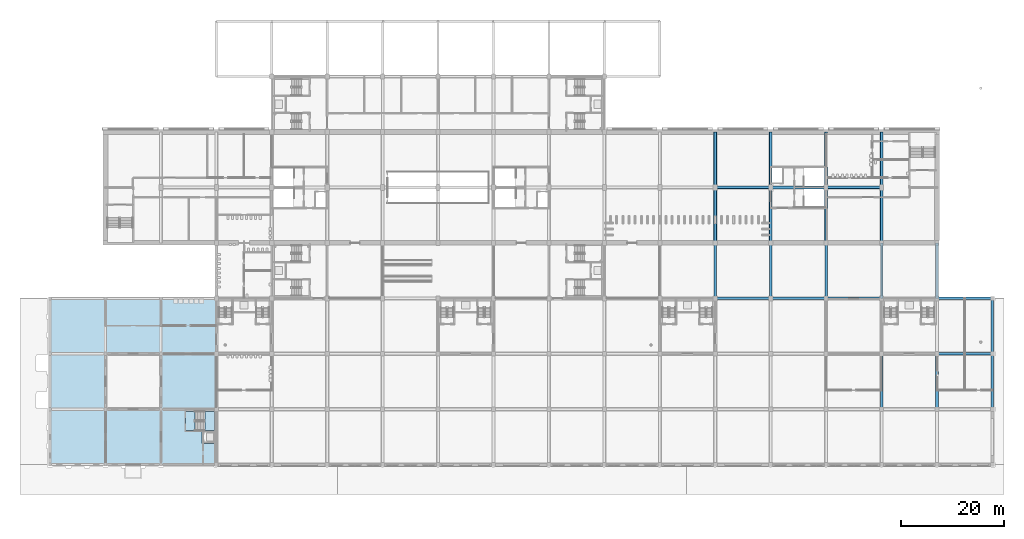
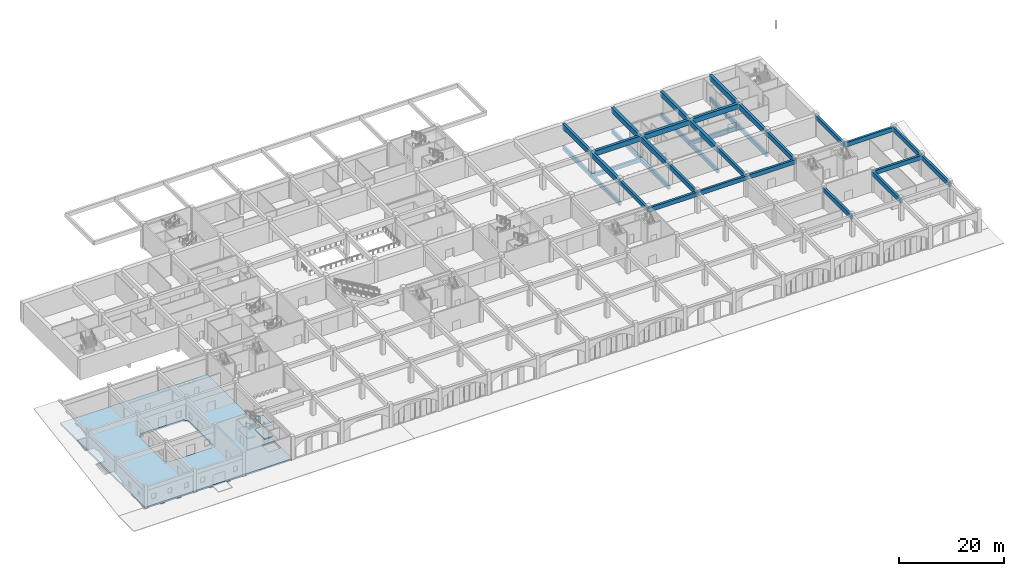
# One storey, part 20 of 101: 35 beams, 4 slabs, 1 element without a shape of its own.
"""IFC4 building model written with IfcOpenShell, lengths in metres."""

from ifc_helpers import new_model, si_unit, direction, frame, origin, origin_2d, place, context, subcontext, project, spatial, polyline, rectangle, outline, extrude, material, layer, layer_set, material_profile, profile_set, type_object, element, aggregate, save


model = new_model("IFC4")

# Units and contexts
model_context = context("Model", 3, precision=1e-05, world=origin(), true_north=direction((0.0, 1.0)))
body_context = subcontext(model_context, "Body", "Model", "MODEL_VIEW")
ifc_project = project(units=[si_unit("LENGTHUNIT", "METRE"), si_unit("AREAUNIT", "SQUARE_METRE"), si_unit("VOLUMEUNIT", "CUBIC_METRE"), si_unit("PLANEANGLEUNIT", "RADIAN"), si_unit("MASSUNIT", "GRAM", prefix="KILO")], contexts=[model_context])

# Site, building, storey
site_placement = place(None, origin())
site = spatial("IfcSite", under=ifc_project, at=site_placement, CompositionType="ELEMENT")
building_placement = place(site_placement, origin())
building = spatial("IfcBuilding", under=site, at=building_placement, Name="Magnolia Steps Interchange", CompositionType="ELEMENT")
storey_placement = place(building_placement, frame((0.0, 0.0, -5.39990234375)))
storey = spatial("IfcBuildingStorey", under=building, at=storey_placement, Name="B1", CompositionType="ELEMENT", Elevation=-5.39990234375)

# Beams
ifc_material_1 = material(Name="Concrete C40", Category="concrete")
ifc_material_profile_1 = material_profile(ifc_material_1, rectangle(XDim=0.5, YDim=1.0, at=origin_2d()), Name="RC500x1000")
ifc_profile_set_1 = profile_set([ifc_material_profile_1], Name="Concrete C40")
beam_type_1 = type_object("IfcBeamType", Name="RC beam 500x1000", PredefinedType="BEAM", material=ifc_profile_set_1)
beam_1_placement = place(storey_placement, frame((182.800048828125, 31.60009765625, 4.2998046875), z_axis=(1.0, 0.0, 0.0), x_axis=(0.0, 1.0, 0.0)))
element("IfcBeam", 1, at=beam_1_placement, inside=storey, type_object=beam_type_1, Name="Beam L00 C 17-18", PredefinedType="BEAM", context=body_context, shape_type="SweptSolid", body=[
    extrude(rectangle(XDim=0.5, YDim=1.0, at=origin_2d()), origin(), (0.0, 0.0, 1.0), 10.800048828125),
])
beam_2_placement = place(storey_placement, frame((139.60009765625, 42.39990234375, 4.2998046875), z_axis=(1.0, 0.0, 0.0), x_axis=(0.0, 1.0, 0.0)))
element("IfcBeam", 2, at=beam_2_placement, inside=storey, type_object=beam_type_1, Name="Beam L00 D 13-14", PredefinedType="BEAM", context=body_context, shape_type="SweptSolid", body=[
    extrude(rectangle(XDim=0.5, YDim=1.0, at=origin_2d()), origin(), (0.0, 0.0, 1.0), 10.7998046875),
])
for number, where, z_axis, x_axis, name in (
    (3, (150.39990234375, 42.39990234375, 4.2998046875), (1.0, 0.0, 0.0), (0.0, 1.0, 0.0), "Beam L00 D 14-15"),
    (4, (161.199951171875, 42.39990234375, 4.2998046875), (1.0, 0.0, 0.0), (0.0, 1.0, 0.0), "Beam L00 D 15-16"),
    (5, (182.800048828125, 42.39990234375, 4.2998046875), (1.0, 0.0, 0.0), (0.0, 1.0, 0.0), "Beam L00 D 17-18"),
    (6, (139.60009765625, 42.39990234375, 4.2998046875), (0.0, 1.0, 0.0), (-1.0, 0.0, 0.0), "Beam L00 13 D-E"),
    (7, (150.39990234375, 42.39990234375, 4.2998046875), (0.0, 1.0, 0.0), (-1.0, 0.0, 0.0), "Beam L00 14 D-E"),
    (8, (161.199951171875, 42.39990234375, 4.2998046875), (0.0, 1.0, 0.0), (-1.0, 0.0, 0.0), "Beam L00 15 D-E"),
    (9, (172.0, 20.800048828125, 4.2998046875), (0.0, 1.0, 0.0), (-1.0, 0.0, 0.0), "Beam L00 16 B-C"),
    (10, (172.0, 42.39990234375, 4.2998046875), (0.0, 1.0, 0.0), (-1.0, 0.0, 0.0), "Beam L00 16 D-E"),
    (11, (182.800048828125, 20.800048828125, 4.2998046875), (0.0, 1.0, 0.0), (-1.0, 0.0, 0.0), "Beam L00 17 B-C"),
    (12, (182.800048828125, 42.39990234375, 4.2998046875), (0.0, 1.0, 0.0), (-1.0, 0.0, 0.0), "Beam L00 17 D-E"),
    (13, (193.60009765625, 20.800048828125, 4.2998046875), (0.0, 1.0, 0.0), (-1.0, 0.0, 0.0), "Beam L00 18 B-C"),
):
    element("IfcBeam", number, at=place(storey_placement, frame(where, z_axis=z_axis, x_axis=x_axis)), inside=storey, type_object=beam_type_1, Name=name, PredefinedType="BEAM", context=body_context, shape_type="SweptSolid", body=[
        extrude(rectangle(XDim=0.5, YDim=1.0, at=origin_2d()), origin(), (0.0, 0.0, 1.0), 10.800048828125),
    ])
beam_3_placement = place(storey_placement, frame((193.60009765625, 31.60009765625, 4.2998046875), z_axis=(0.0, 1.0, 0.0), x_axis=(-1.0, 0.0, 0.0)))
element("IfcBeam", 14, at=beam_3_placement, inside=storey, type_object=beam_type_1, Name="Beam L00 18 C-D", PredefinedType="BEAM", context=body_context, shape_type="SweptSolid", body=[
    extrude(rectangle(XDim=0.5, YDim=1.0, at=origin_2d()), origin(), (0.0, 0.0, 1.0), 10.7998046875),
])
ifc_material_2 = material(Name="Concrete C40", Category="concrete")
ifc_material_profile_2 = material_profile(ifc_material_2, rectangle(XDim=0.5, YDim=0.89990234375, at=origin_2d()), Name="RC500x900")
ifc_profile_set_2 = profile_set([ifc_material_profile_2], Name="Concrete C40")
beam_type_2 = type_object("IfcBeamType", Name="RC beam 500x900", PredefinedType="BEAM", material=ifc_profile_set_2)
beam_4_placement = place(storey_placement, frame((139.60009765625, 64.0, -0.85009765625), z_axis=(1.0, 0.0, 0.0), x_axis=(0.0, 1.0, 0.0)))
element("IfcBeam", 15, at=beam_4_placement, inside=storey, type_object=beam_type_2, Name="Beam B1 F 13-14", PredefinedType="BEAM", context=body_context, shape_type="SweptSolid", body=[
    extrude(rectangle(XDim=0.5, YDim=0.89990234375, at=origin_2d()), origin(), (0.0, 0.0, 1.0), 10.7998046875),
])
for number, where, z_axis, x_axis, name in (
    (16, (161.199951171875, 64.0, -0.85009765625), (1.0, 0.0, 0.0), (0.0, 1.0, 0.0), "Beam B1 F 15-16"),
    (17, (139.60009765625, 53.199951171875, -0.85009765625), (0.0, 1.0, 0.0), (-1.0, 0.0, 0.0), "Beam B1 13 E-F"),
    (18, (139.60009765625, 64.0, -0.85009765625), (0.0, 1.0, 0.0), (-1.0, 0.0, 0.0), "Beam B1 13 F-G"),
    (19, (150.39990234375, 53.199951171875, -0.85009765625), (0.0, 1.0, 0.0), (-1.0, 0.0, 0.0), "Beam B1 14 E-F"),
    (20, (150.39990234375, 64.0, -0.85009765625), (0.0, 1.0, 0.0), (-1.0, 0.0, 0.0), "Beam B1 14 F-G"),
    (21, (161.199951171875, 53.199951171875, -0.85009765625), (0.0, 1.0, 0.0), (-1.0, 0.0, 0.0), "Beam B1 15 E-F"),
    (22, (161.199951171875, 64.0, -0.85009765625), (0.0, 1.0, 0.0), (-1.0, 0.0, 0.0), "Beam B1 15 F-G"),
    (23, (172.0, 53.199951171875, -0.85009765625), (0.0, 1.0, 0.0), (-1.0, 0.0, 0.0), "Beam B1 16 E-F"),
    (24, (172.0, 64.0, -0.85009765625), (0.0, 1.0, 0.0), (-1.0, 0.0, 0.0), "Beam B1 16 F-G"),
):
    element("IfcBeam", number, at=place(storey_placement, frame(where, z_axis=z_axis, x_axis=x_axis)), inside=storey, type_object=beam_type_2, Name=name, PredefinedType="BEAM", context=body_context, shape_type="SweptSolid", body=[
        extrude(rectangle(XDim=0.5, YDim=0.89990234375, at=origin_2d()), origin(), (0.0, 0.0, 1.0), 10.800048828125),
    ])
ifc_material_3 = material(Name="Concrete C40", Category="concrete")
ifc_material_profile_3 = material_profile(ifc_material_3, rectangle(XDim=0.60009765625, YDim=1.199951171875, at=origin_2d()), Name="RC600x1200")
ifc_profile_set_3 = profile_set([ifc_material_profile_3], Name="Concrete C40")
beam_type_3 = type_object("IfcBeamType", Name="RC beam 600x1200", PredefinedType="BEAM", material=ifc_profile_set_3)
beam_5_placement = place(storey_placement, frame((139.60009765625, 64.0, 4.199951171875), z_axis=(1.0, 0.0, 0.0), x_axis=(0.0, 1.0, 0.0)))
element("IfcBeam", 25, at=beam_5_placement, inside=storey, type_object=beam_type_3, Name="Beam L00 F 13-14", PredefinedType="BEAM", context=body_context, shape_type="SweptSolid", body=[
    extrude(rectangle(XDim=0.60009765625, YDim=1.199951171875, at=origin_2d()), origin(), (0.0, 0.0, 1.0), 10.7998046875),
])
for number, where, z_axis, x_axis, name in (
    (26, (150.39990234375, 64.0, 4.199951171875), (1.0, 0.0, 0.0), (0.0, 1.0, 0.0), "Beam L00 F 14-15"),
    (27, (161.199951171875, 64.0, 4.199951171875), (1.0, 0.0, 0.0), (0.0, 1.0, 0.0), "Beam L00 F 15-16"),
    (28, (139.60009765625, 53.199951171875, 4.199951171875), (0.0, 1.0, 0.0), (-1.0, 0.0, 0.0), "Beam L00 13 E-F"),
    (29, (139.60009765625, 64.0, 4.199951171875), (0.0, 1.0, 0.0), (-1.0, 0.0, 0.0), "Beam L00 13 F-G"),
    (30, (150.39990234375, 53.199951171875, 4.199951171875), (0.0, 1.0, 0.0), (-1.0, 0.0, 0.0), "Beam L00 14 E-F"),
    (31, (150.39990234375, 64.0, 4.199951171875), (0.0, 1.0, 0.0), (-1.0, 0.0, 0.0), "Beam L00 14 F-G"),
    (32, (161.199951171875, 53.199951171875, 4.199951171875), (0.0, 1.0, 0.0), (-1.0, 0.0, 0.0), "Beam L00 15 E-F"),
    (33, (161.199951171875, 64.0, 4.199951171875), (0.0, 1.0, 0.0), (-1.0, 0.0, 0.0), "Beam L00 15 F-G"),
    (34, (172.0, 53.199951171875, 4.199951171875), (0.0, 1.0, 0.0), (-1.0, 0.0, 0.0), "Beam L00 16 E-F"),
    (35, (172.0, 64.0, 4.199951171875), (0.0, 1.0, 0.0), (-1.0, 0.0, 0.0), "Beam L00 16 F-G"),
):
    element("IfcBeam", number, at=place(storey_placement, frame(where, z_axis=z_axis, x_axis=x_axis)), inside=storey, type_object=beam_type_3, Name=name, PredefinedType="BEAM", context=body_context, shape_type="SweptSolid", body=[
        extrude(rectangle(XDim=0.60009765625, YDim=1.199951171875, at=origin_2d()), origin(), (0.0, 0.0, 1.0), 10.800048828125),
    ])

# Stair, slabs
ifc_material_4 = material(Name="Concrete C40", Category="concrete")
stair_type = type_object("IfcStairType", Name="Exit stair 1800", PredefinedType="HALF_TURN_STAIR", material=ifc_material_4)
stair_placement = place(storey_placement, origin())
stair = element("IfcStair", 36, at=stair_placement, inside=storey, type_object=stair_type, Name="B1 Stair 25", PredefinedType="HALF_TURN_STAIR")
ifc_material_5 = material(Name="Concrete C40", Category="concrete")
ifc_layer_1 = layer(ifc_material_5, 0.199951171875)
ifc_layer_set_1 = layer_set([ifc_layer_1], Name="Exit stair landing 200")
slab_type_1 = type_object("IfcSlabType", Name="Exit stair landing 200", PredefinedType="LANDING", material=ifc_layer_set_1)
slab_1_placement = place(storey_placement, frame((0.0, 0.0, 1.14990234375)))
slab_1 = element("IfcSlab", 37, at=slab_1_placement, type_object=slab_type_1, Name="Stair 25 landing 1", PredefinedType="LANDING", context=body_context, shape_type="SweptSolid", body=[
    extrude(outline(polyline([(40.159912109375, 16.64990234375), (42.0, 16.64990234375), (42.0, 20.39990234375), (40.159912109375, 20.39990234375), (40.159912109375, 16.64990234375)])), origin(), (0.0, 0.0, 1.0), 0.199951171875),
])
slab_2_placement = place(storey_placement, frame((0.0, 0.0, 2.5)))
slab_2 = element("IfcSlab", 38, at=slab_2_placement, type_object=slab_type_1, Name="Stair 25 landing 2", PredefinedType="LANDING", context=body_context, shape_type="SweptSolid", body=[
    extrude(outline(polyline([(36.39990234375, 16.64990234375), (38.199951171875, 16.64990234375), (38.199951171875, 20.39990234375), (36.39990234375, 20.39990234375), (36.39990234375, 16.64990234375)])), origin(), (0.0, 0.0, 1.0), 0.199951171875),
])
slab_3_placement = place(storey_placement, frame((0.0, 0.0, 3.849853515625)))
slab_3 = element("IfcSlab", 39, at=slab_3_placement, type_object=slab_type_1, Name="Stair 25 landing 3", PredefinedType="LANDING", context=body_context, shape_type="SweptSolid", body=[
    extrude(outline(polyline([(40.159912109375, 16.64990234375), (42.0, 16.64990234375), (42.0, 20.39990234375), (40.159912109375, 20.39990234375), (40.159912109375, 16.64990234375)])), origin(), (0.0, 0.0, 1.0), 0.199951171875),
])
aggregate(stair, [slab_1, slab_2, slab_3])

# Slab
ifc_material_6 = material(Name="Concrete C40", Category="concrete")
ifc_layer_2 = layer(ifc_material_6, 0.39990234375)
ifc_layer_set_2 = layer_set([ifc_layer_2], Name="Floor slab 400")
slab_type_2 = type_object("IfcSlabType", Name="Floor slab 400", PredefinedType="FLOOR", material=ifc_layer_set_2)
slab_4_placement = place(storey_placement, frame((0.0, 0.0, -0.400146484375)))
element("IfcSlab", 40, at=slab_4_placement, inside=storey, type_object=slab_type_2, Name="SL/B1/CYC5", PredefinedType="FLOOR", context=body_context, shape_type="SweptSolid", body=[
    extrude(outline(polyline([(10.0, 10.0), (42.39990234375, 10.0), (42.39990234375, 42.39990234375), (10.0, 42.39990234375), (10.0, 10.0)]), holes=[polyline([(42.25, 16.699951171875), (39.64990234375, 16.699951171875), (39.64990234375, 14.10009765625), (42.25, 14.10009765625), (42.25, 16.699951171875)]), polyline([(21.449951171875, 31.60009765625), (21.447021484375, 31.536376953125), (21.4375, 31.47314453125), (21.422119140625, 31.411376953125), (21.400390625, 31.351318359375), (21.373291015625, 31.293701171875), (21.340576171875, 31.239013671875), (21.302490234375, 31.1875), (21.259521484375, 31.140380859375), (21.21240234375, 31.097412109375), (21.1611328125, 31.0595703125), (21.1064453125, 31.02685546875), (21.048583984375, 30.99951171875), (20.98876953125, 30.97802734375), (20.9267578125, 30.96240234375), (20.86376953125, 30.953125), (20.800048828125, 30.949951171875), (20.800048828125, 21.449951171875), (20.86376953125, 21.447021484375), (20.9267578125, 21.4375), (20.98876953125, 21.422119140625), (21.048583984375, 21.400390625), (21.1064453125, 21.373291015625), (21.1611328125, 21.340576171875), (21.21240234375, 21.302490234375), (21.259521484375, 21.259521484375), (21.302490234375, 21.21240234375), (21.340576171875, 21.1611328125), (21.373291015625, 21.1064453125), (21.400390625, 21.048583984375), (21.422119140625, 20.98876953125), (21.4375, 20.9267578125), (21.447021484375, 20.86376953125), (21.449951171875, 20.800048828125), (30.949951171875, 20.800048828125), (30.953125, 20.86376953125), (30.96240234375, 20.9267578125), (30.97802734375, 20.98876953125), (30.99951171875, 21.048583984375), (31.02685546875, 21.1064453125), (31.0595703125, 21.1611328125), (31.097412109375, 21.21240234375), (31.140380859375, 21.259521484375), (31.1875, 21.302490234375), (31.239013671875, 21.340576171875), (31.293701171875, 21.373291015625), (31.351318359375, 21.400390625), (31.411376953125, 21.422119140625), (31.47314453125, 21.4375), (31.536376953125, 21.447021484375), (31.60009765625, 21.449951171875), (31.60009765625, 30.949951171875), (31.536376953125, 30.953125), (31.47314453125, 30.96240234375), (31.411376953125, 30.97802734375), (31.351318359375, 30.99951171875), (31.293701171875, 31.02685546875), (31.239013671875, 31.0595703125), (31.1875, 31.097412109375), (31.140380859375, 31.140380859375), (31.097412109375, 31.1875), (31.0595703125, 31.239013671875), (31.02685546875, 31.293701171875), (30.99951171875, 31.351318359375), (30.97802734375, 31.411376953125), (30.96240234375, 31.47314453125), (30.953125, 31.536376953125), (30.949951171875, 31.60009765625), (21.449951171875, 31.60009765625)])]), origin(), (0.0, 0.0, 1.0), 0.400146484375),
])

save(model, "model.ifc")
